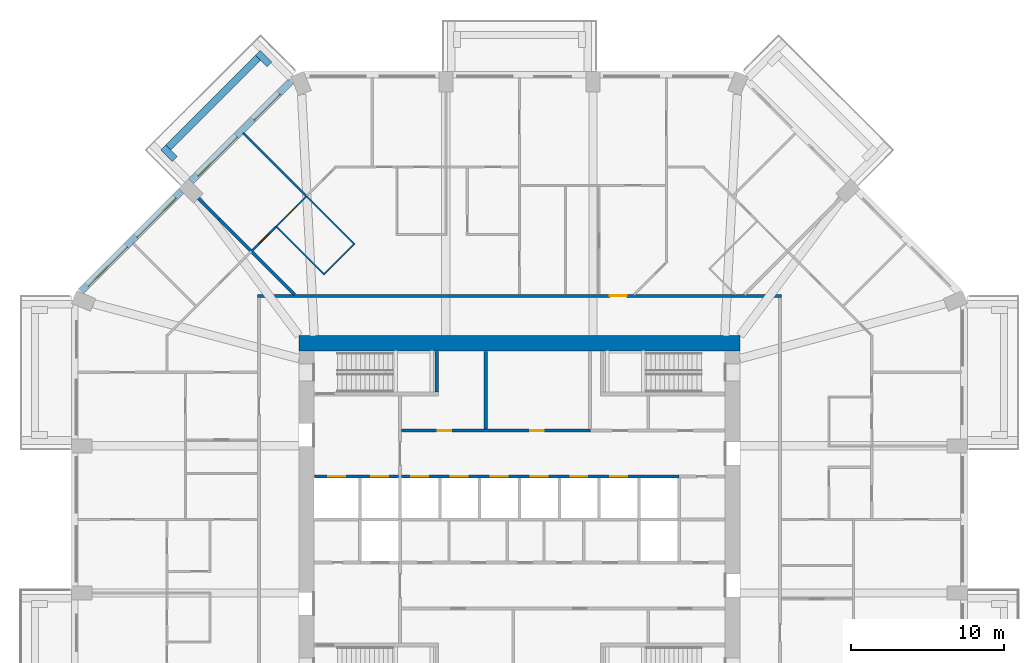
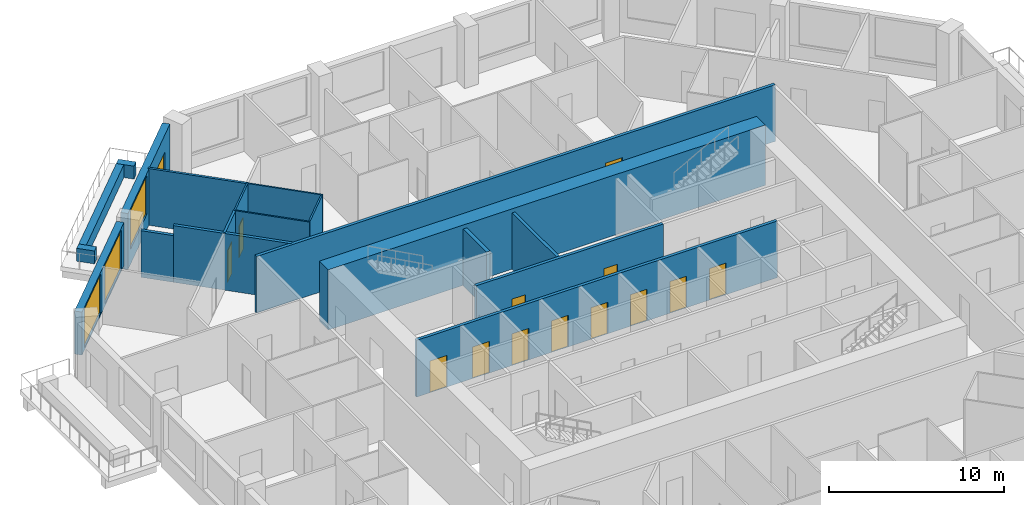
# One storey, part 8 of 13: 19 walls, 14 doors, 3 windows, 17 openings.
"""IFC4 building model written with IfcOpenShell, lengths in metres."""

from ifc_helpers import new_model, si_unit, direction, frame, frame_2d, origin, place, context, subcontext, project, spatial, rectangle, extrude, material, layer, layer_set, type_object, element, fill, save


model = new_model("IFC4")

# Units and contexts
model_context = context("Model", 3, precision=1e-05, world=origin(), true_north=direction((0.0, 1.0)))
body_context = subcontext(model_context, "Body", "Model", "MODEL_VIEW")
ifc_project = project(units=[si_unit("LENGTHUNIT", "METRE"), si_unit("AREAUNIT", "SQUARE_METRE"), si_unit("VOLUMEUNIT", "CUBIC_METRE"), si_unit("PLANEANGLEUNIT", "RADIAN"), si_unit("MASSUNIT", "GRAM", prefix="KILO")], contexts=[model_context])

# Site, building, storey
site_placement = place(None, origin())
site = spatial("IfcSite", under=ifc_project, at=site_placement, CompositionType="ELEMENT")
building_placement = place(site_placement, origin())
building = spatial("IfcBuilding", under=site, at=building_placement, Name="Msitu Wima Residences", CompositionType="ELEMENT")
storey_placement = place(building_placement, frame((0.0, 0.0, 29.699951171875)))
storey = spatial("IfcBuildingStorey", under=building, at=storey_placement, Name="L06", CompositionType="ELEMENT", Elevation=29.699951171875)

# Walls
ifc_material_1 = material(Name="Facing brick")
ifc_layer_1 = layer(ifc_material_1, 0.06494140625, Name="Facing brick")
ifc_material_2 = material(Name="Concrete C40/50", Category="concrete")
ifc_layer_2 = layer(ifc_material_2, 0.156005859375, Name="Concrete C40/50")
ifc_material_3 = material(Name="Waterproofing membrane")
ifc_layer_3 = layer(ifc_material_3, 0.00390625, Name="Waterproofing membrane")
ifc_material_4 = material(Name="Planting soil and planting")
ifc_layer_4 = layer(ifc_material_4, 0.22509765625, Name="Planting soil and planting")
ifc_layer_set_1 = layer_set([ifc_layer_1, ifc_layer_2, ifc_layer_3, ifc_layer_4], Name="Concrete C40/50")
wall_type_1 = type_object("IfcWallType", Name="Balcony planter PLANTER PL450", PredefinedType="USERDEFINED", material=ifc_layer_set_1)
wall_1_placement = place(storey_placement, frame((-17.0693359375, 30.125732421875, 0.0), z_axis=(0.0, 0.0, 1.0), x_axis=(-0.707106781187, -0.707106781187, 0.0)))
element("IfcWall", 1, at=wall_1_placement, inside=storey, type_object=wall_type_1, Name="Balcony planter NW0 L06", ObjectType="PLANTER", PredefinedType="USERDEFINED", context=body_context, shape_type="SweptSolid", body=[
    extrude(rectangle(XDim=8.2822265625, YDim=0.449951171875, at=frame_2d((4.14111328125, 0.0))), origin(), (0.0, 0.0, 1.0), 0.900146484375),
])
for number, where, z_axis, x_axis, name in (
    (2, (-16.326904296875, 29.70166015625, 0.0), (0.0, 0.0, 1.0), (-0.707106781187, 0.707106781187, 0.0), "Balcony planter NW0 L06"),
    (3, (-22.50146484375, 23.52685546875, 0.0), (0.0, 0.0, 1.0), (-0.707223014731, 0.706990528533, 0.0), "Balcony planter NW0 L06"),
):
    element("IfcWall", number, at=place(storey_placement, frame(where, z_axis=z_axis, x_axis=x_axis)), inside=storey, type_object=wall_type_1, Name=name, ObjectType="PLANTER", PredefinedType="USERDEFINED", context=body_context, shape_type="SweptSolid", body=[
        extrude(rectangle(XDim=1.050048828125, YDim=0.449951171875, at=frame_2d((0.52490234375, 0.0))), origin(), (0.0, 0.0, 1.0), 0.900146484375),
    ])

# Wall, openings, door, window
ifc_material_5 = material(Name="Brick (red buff mix)", Category="masonry")
ifc_layer_5 = layer(ifc_material_5, 0.449951171875)
ifc_layer_set_2 = layer_set([ifc_layer_5], Name="Brick (red buff mix)")
wall_type_2 = type_object("IfcWallType", Name="Brick infill wall BW450", PredefinedType="SOLIDWALL", material=ifc_layer_set_2)
wall_2_placement = place(storey_placement, frame((-14.903564453125, 28.61474609375, 0.0), z_axis=(0.0, 0.0, 1.0), x_axis=(-0.707106781187, -0.707106781187, 0.0)))
wall_2 = element("IfcWall", 4, at=wall_2_placement, inside=storey, type_object=wall_type_2, Name="Brick infill wall L06 NW0", PredefinedType="SOLIDWALL", context=body_context, shape_type="SweptSolid", body=[
    extrude(rectangle(XDim=9.2451171875, YDim=0.449951171875, at=frame_2d((4.62255859375, 0.0))), origin(), (0.0, 0.0, 1.0), 3.900146484375),
])
opening_1_placement = place(wall_2_placement, frame((1.111328125, 0.0, 0.0)))
opening_1 = element("IfcOpeningElement", 5, at=opening_1_placement, cuts=wall_2, Name="Opening D05-07.005", PredefinedType="OPENING", context=body_context, shape_type="SweptSolid", body=[
    extrude(rectangle(XDim=2.39990234375, YDim=2.699951171875, at=frame_2d((1.199951171875, 1.35009765625))), frame((0.0, 0.23486328125, 0.0), z_axis=(0.0, -1.0, 0.0), x_axis=(1.0, 0.0, 0.0)), (0.0, 0.0, 1.0), 0.469970703125),
])
opening_2_placement = place(wall_2_placement, frame((5.072509765625, 0.0, 1.050048828125)))
opening_2 = element("IfcOpeningElement", 6, at=opening_2_placement, cuts=wall_2, Name="Opening W05-07.013", PredefinedType="OPENING", context=body_context, shape_type="SweptSolid", body=[
    extrude(rectangle(XDim=3.60009765625, YDim=2.699951171875, at=frame_2d((1.800048828125, 1.35009765625))), frame((0.0, 0.23486328125, 0.0), z_axis=(0.0, -1.0, 0.0), x_axis=(1.0, 0.0, 0.0)), (0.0, 0.0, 1.0), 0.469970703125),
])
ifc_material_6 = material(Name="Anodised aluminium, bronze finish, clear low-emissivity double glazing", Category="aluminium")
door_type_1 = type_object("IfcDoorType", Name="Balcony door D2400x2700", OperationType="SLIDING_TO_LEFT", PredefinedType="DOOR", material=ifc_material_6)
door_1_placement = place(opening_1_placement, origin())
door_1 = element("IfcDoor", 7, at=door_1_placement, inside=storey, type_object=door_type_1, Name="Balcony door L06 NW0", OperationType="SINGLE_SWING_LEFT", OverallHeight=2.699951171875, OverallWidth=2.39990234375, PredefinedType="DOOR", context=body_context, shape_type="SweptSolid", body=[
    extrude(rectangle(XDim=2.39990234375, YDim=2.699951171875, at=frame_2d((1.199951171875, 1.35009765625))), frame((0.0, 0.1298828125, 0.0), z_axis=(0.0, -1.0, 0.0), x_axis=(1.0, 0.0, 0.0)), (0.0, 0.0, 1.0), 0.050048828125),
])
fill(opening_1, door_1)
window_type = type_object("IfcWindowType", Name="Window W3600x2700", PartitioningType="DOUBLE_PANEL_VERTICAL", PredefinedType="WINDOW", material=ifc_material_6)
window_1_placement = place(opening_2_placement, origin())
window_1 = element("IfcWindow", 8, at=window_1_placement, inside=storey, type_object=window_type, Name="Window L06 NW0.2", OverallHeight=2.699951171875, OverallWidth=3.60009765625, PartitioningType="SINGLE_PANEL", PredefinedType="WINDOW", context=body_context, shape_type="SweptSolid", body=[
    extrude(rectangle(XDim=3.60009765625, YDim=2.699951171875, at=frame_2d((1.800048828125, 1.35009765625))), frame((0.0, 0.135009765625, 0.0), z_axis=(0.0, -1.0, 0.0), x_axis=(1.0, 0.0, 0.0)), (0.0, 0.0, 1.0), 0.06005859375),
])
fill(opening_2, window_1)

# Wall, openings, windows
wall_3_placement = place(storey_placement, frame((-22.077392578125, 21.44091796875, 0.900146484375), z_axis=(0.0, 0.0, 1.0), x_axis=(-0.707106781187, -0.707106781187, 0.0)))
wall_3 = element("IfcWall", 9, at=wall_3_placement, inside=storey, type_object=wall_type_2, Name="Brick infill wall L06 NW1", PredefinedType="SOLIDWALL", context=body_context, shape_type="SweptSolid", body=[
    extrude(rectangle(XDim=9.2451171875, YDim=0.449951171875, at=frame_2d((4.62255859375, 0.0))), origin(), (0.0, 0.0, 1.0), 3.0),
])
opening_3_placement = place(wall_3_placement, frame((0.572509765625, 0.0, 0.14990234375)))
opening_3 = element("IfcOpeningElement", 10, at=opening_3_placement, cuts=wall_3, Name="Opening W05-07.014", PredefinedType="OPENING", context=body_context, shape_type="SweptSolid", body=[
    extrude(rectangle(XDim=3.60009765625, YDim=2.699951171875, at=frame_2d((1.800048828125, 1.35009765625))), frame((0.0, 0.23486328125, 0.0), z_axis=(0.0, -1.0, 0.0), x_axis=(1.0, 0.0, 0.0)), (0.0, 0.0, 1.0), 0.469970703125),
])
opening_4_placement = place(wall_3_placement, frame((5.072509765625, 0.0, 0.14990234375)))
opening_4 = element("IfcOpeningElement", 11, at=opening_4_placement, cuts=wall_3, Name="Opening W05-07.015", PredefinedType="OPENING", context=body_context, shape_type="SweptSolid", body=[
    extrude(rectangle(XDim=3.60009765625, YDim=2.699951171875, at=frame_2d((1.800048828125, 1.35009765625))), frame((0.0, 0.23486328125, 0.0), z_axis=(0.0, -1.0, 0.0), x_axis=(1.0, 0.0, 0.0)), (0.0, 0.0, 1.0), 0.469970703125),
])
window_2_placement = place(opening_3_placement, origin())
window_2 = element("IfcWindow", 12, at=window_2_placement, inside=storey, type_object=window_type, Name="Window L06 NW1.1", OverallHeight=2.699951171875, OverallWidth=3.60009765625, PartitioningType="SINGLE_PANEL", PredefinedType="WINDOW", context=body_context, shape_type="SweptSolid", body=[
    extrude(rectangle(XDim=3.60009765625, YDim=2.699951171875, at=frame_2d((1.800048828125, 1.35009765625))), frame((0.0, 0.135009765625, 0.0), z_axis=(0.0, -1.0, 0.0), x_axis=(1.0, 0.0, 0.0)), (0.0, 0.0, 1.0), 0.06005859375),
])
fill(opening_3, window_2)
window_3_placement = place(opening_4_placement, origin())
window_3 = element("IfcWindow", 13, at=window_3_placement, inside=storey, type_object=window_type, Name="Window L06 NW1.2", OverallHeight=2.699951171875, OverallWidth=3.60009765625, PartitioningType="SINGLE_PANEL", PredefinedType="WINDOW", context=body_context, shape_type="SweptSolid", body=[
    extrude(rectangle(XDim=3.60009765625, YDim=2.699951171875, at=frame_2d((1.800048828125, 1.35009765625))), frame((0.0, 0.135009765625, 0.0), z_axis=(0.0, -1.0, 0.0), x_axis=(1.0, 0.0, 0.0)), (0.0, 0.0, 1.0), 0.06005859375),
])
fill(opening_4, window_3)

# Wall
ifc_material_7 = material(Name="Concrete C80/95", Category="concrete")
ifc_layer_6 = layer(ifc_material_7, 1.0)
ifc_layer_set_3 = layer_set([ifc_layer_6], Name="Concrete C80/95")
wall_type_3 = type_object("IfcWallType", Name="Core wall CW1000 C80/95", PredefinedType="SHEAR", material=ifc_layer_set_3)
wall_4_placement = place(storey_placement, frame((-14.39990234375, 11.5, 0.0), z_axis=(0.0, 0.0, 1.0), x_axis=(1.0, 0.0, 0.0)))
element("IfcWall", 14, at=wall_4_placement, inside=storey, type_object=wall_type_3, Name="Core wall", PredefinedType="SHEAR", context=body_context, shape_type="SweptSolid", body=[
    extrude(rectangle(XDim=28.7998046875, YDim=1.0, at=frame_2d((14.39990234375, 0.0))), origin(), (0.0, 0.0, 1.0), 4.199951171875),
])

# Wall, opening, door
ifc_material_8 = material(Name="Plaster")
ifc_layer_7 = layer(ifc_material_8, 0.011962890625, Name="Plaster")
ifc_material_9 = material(Name="Concrete blockwork", Category="masonry")
ifc_layer_8 = layer(ifc_material_9, 0.176025390625, Name="Concrete blockwork")
ifc_layer_9 = layer(ifc_material_8, 0.011962890625, Name="Plaster")
ifc_layer_set_4 = layer_set([ifc_layer_7, ifc_layer_8, ifc_layer_9], Name="Concrete blockwork")
wall_type_4 = type_object("IfcWallType", Name="Corridor wall FW200", PredefinedType="PARTITIONING", material=ifc_layer_set_4)
wall_5_placement = place(storey_placement, frame((-17.10009765625, 14.60009765625, 0.0), z_axis=(0.0, 0.0, 1.0), x_axis=(1.0, 0.0, 0.0)))
wall_5 = element("IfcWall", 15, at=wall_5_placement, inside=storey, type_object=wall_type_4, Name="Corridor wall", PredefinedType="PARTITIONING", context=body_context, shape_type="SweptSolid", body=[
    extrude(rectangle(XDim=34.2001953125, YDim=0.199951171875, at=frame_2d((17.10009765625, 0.0))), origin(), (0.0, 0.0, 1.0), 3.949951171875),
])
opening_5_placement = place(wall_5_placement, frame((23.0, 0.0, 0.0)))
opening_5 = element("IfcOpeningElement", 16, at=opening_5_placement, cuts=wall_5, Name="Opening D05-07.012", PredefinedType="OPENING", context=body_context, shape_type="SweptSolid", body=[
    extrude(rectangle(XDim=1.10009765625, YDim=2.39990234375, at=frame_2d((0.550048828125, 1.199951171875))), frame((0.0, 0.10986328125, 0.0), z_axis=(0.0, -1.0, 0.0), x_axis=(1.0, 0.0, 0.0)), (0.0, 0.0, 1.0), 0.219970703125),
])
ifc_material_10 = material(Name="Timber flush door, fire resisting, self-closing", Category="wood")
door_type_2 = type_object("IfcDoorType", Name="Flat entrance door D01 1100x2400", OperationType="SINGLE_SWING_LEFT", PredefinedType="DOOR", material=ifc_material_10)
door_2_placement = place(opening_5_placement, origin())
door_2 = element("IfcDoor", 17, at=door_2_placement, inside=storey, type_object=door_type_2, Name="Flat entrance door", OperationType="SINGLE_SWING_RIGHT", OverallHeight=2.39990234375, OverallWidth=1.10009765625, PredefinedType="DOOR", context=body_context, shape_type="SweptSolid", body=[
    extrude(rectangle(XDim=1.10009765625, YDim=2.39990234375, at=frame_2d((0.550048828125, 1.199951171875))), frame((0.0, 0.02490234375, 0.0), z_axis=(0.0, -1.0, 0.0), x_axis=(1.0, 0.0, 0.0)), (0.0, 0.0, 1.0), 0.050048828125),
])
fill(opening_5, door_2)

# Wall
ifc_layer_10 = layer(ifc_material_8, 0.011962890625, Name="Plaster")
ifc_layer_11 = layer(ifc_material_9, 0.1259765625, Name="Concrete blockwork")
ifc_layer_12 = layer(ifc_material_8, 0.011962890625, Name="Plaster")
ifc_layer_set_5 = layer_set([ifc_layer_10, ifc_layer_11, ifc_layer_12], Name="Concrete blockwork")
wall_type_5 = type_object("IfcWallType", Name="Partition PW150", PredefinedType="PARTITIONING", material=ifc_layer_set_5)
wall_6_placement = place(storey_placement, frame((-18.038818359375, 25.23876953125, 0.0), z_axis=(0.0, 0.0, 1.0), x_axis=(0.707127559195, -0.707086002568, 0.0)))
element("IfcWall", 18, at=wall_6_placement, inside=storey, type_object=wall_type_5, Name="Partition", PredefinedType="PARTITIONING", context=body_context, shape_type="SweptSolid", body=[
    extrude(rectangle(XDim=5.875, YDim=0.14990234375, at=frame_2d((2.9375, 0.0))), origin(), (0.0, 0.0, 1.0), 3.949951171875),
])

# Wall, opening, door
wall_7_placement = place(storey_placement, frame((-17.498779296875, 17.498779296875, 0.0), z_axis=(0.0, 0.0, 1.0), x_axis=(0.707106781187, 0.707106781187, 0.0)))
wall_7 = element("IfcWall", 19, at=wall_7_placement, inside=storey, type_object=wall_type_5, Name="Partition", PredefinedType="PARTITIONING", context=body_context, shape_type="SweptSolid", body=[
    extrude(rectangle(XDim=2.271240234375, YDim=0.14990234375, at=frame_2d((1.1357421875, 0.0))), origin(), (0.0, 0.0, 1.0), 3.949951171875),
])
opening_6_placement = place(wall_7_placement, frame((0.699951171875, 0.0, 0.0)))
opening_6 = element("IfcOpeningElement", 20, at=opening_6_placement, cuts=wall_7, Name="Opening D05-07.057", PredefinedType="OPENING", context=body_context, shape_type="SweptSolid", body=[
    extrude(rectangle(XDim=0.949951171875, YDim=2.199951171875, at=frame_2d((0.47509765625, 1.10009765625))), frame((0.0, 0.0849609375, 0.0), z_axis=(0.0, -1.0, 0.0), x_axis=(1.0, 0.0, 0.0)), (0.0, 0.0, 1.0), 0.169921875),
])
ifc_material_11 = material(Name="Timber flush door", Category="wood")
door_type_3 = type_object("IfcDoorType", Name="Room door D12 950x2200", OperationType="SINGLE_SWING_LEFT", PredefinedType="DOOR", material=ifc_material_11)
door_3_placement = place(opening_6_placement, origin())
door_3 = element("IfcDoor", 21, at=door_3_placement, inside=storey, type_object=door_type_3, Name="Room door", OperationType="SINGLE_SWING_LEFT", OverallHeight=2.199951171875, OverallWidth=0.949951171875, PredefinedType="DOOR", context=body_context, shape_type="SweptSolid", body=[
    extrude(rectangle(XDim=0.949951171875, YDim=2.199951171875, at=frame_2d((0.47509765625, 1.10009765625))), frame((0.0, 0.02490234375, 0.0), z_axis=(0.0, -1.0, 0.0), x_axis=(1.0, 0.0, 0.0)), (0.0, 0.0, 1.0), 0.050048828125),
])
fill(opening_6, door_3)

# Walls
ifc_layer_13 = layer(ifc_material_8, 0.011962890625, Name="Plaster")
ifc_material_12 = material(Name="Dense concrete blockwork", Category="masonry")
ifc_layer_14 = layer(ifc_material_12, 0.176025390625, Name="Dense concrete blockwork")
ifc_layer_15 = layer(ifc_material_8, 0.011962890625, Name="Plaster")
ifc_layer_set_6 = layer_set([ifc_layer_13, ifc_layer_14, ifc_layer_15], Name="Dense concrete blockwork")
wall_type_6 = type_object("IfcWallType", Name="Party wall PW200", PredefinedType="PARTITIONING", material=ifc_layer_set_6)
wall_8_placement = place(storey_placement, frame((-20.963623046875, 20.963623046875, 0.0), z_axis=(0.0, 0.0, 1.0), x_axis=(0.707106781187, -0.707106781187, 0.0)))
element("IfcWall", 22, at=wall_8_placement, inside=storey, type_object=wall_type_6, Name="Party wall", PredefinedType="PARTITIONING", context=body_context, shape_type="SweptSolid", body=[
    extrude(rectangle(XDim=1.92041015625, YDim=0.199951171875, at=frame_2d((0.960205078125, 0.0))), origin(), (0.0, 0.0, 1.0), 3.25),
])
wall_9_placement = place(storey_placement, frame((-19.605712890625, 19.605712890625, 0.0), z_axis=(0.0, 0.0, 1.0), x_axis=(0.707106781187, -0.707106781187, 0.0)))
element("IfcWall", 23, at=wall_9_placement, inside=storey, type_object=wall_type_6, Name="Party wall", PredefinedType="PARTITIONING", context=body_context, shape_type="SweptSolid", body=[
    extrude(rectangle(XDim=6.979248046875, YDim=0.199951171875, at=frame_2d((3.48974609375, 0.0))), origin(), (0.0, 0.0, 1.0), 3.949951171875),
])

# Wall, openings, doors
ifc_layer_16 = layer(ifc_material_8, 0.011962890625, Name="Plaster")
ifc_material_13 = material(Name="Reinforced concrete blockwork", Category="masonry")
ifc_layer_17 = layer(ifc_material_13, 0.176025390625, Name="Reinforced concrete blockwork")
ifc_layer_18 = layer(ifc_material_8, 0.011962890625, Name="Plaster")
ifc_layer_set_7 = layer_set([ifc_layer_16, ifc_layer_17, ifc_layer_18], Name="Reinforced concrete blockwork")
wall_type_7 = type_object("IfcWallType", Name="Plant and riser wall PL200", PredefinedType="PARTITIONING", material=ifc_layer_set_7)
wall_10_placement = place(storey_placement, frame((-7.699951171875, 5.800048828125, 0.0), z_axis=(0.0, 0.0, 1.0), x_axis=(1.0, 0.0, 0.0)))
wall_10 = element("IfcWall", 24, at=wall_10_placement, inside=storey, type_object=wall_type_7, Name="Plant and riser wall", PredefinedType="PARTITIONING", context=body_context, shape_type="SweptSolid", body=[
    extrude(rectangle(XDim=12.320068359375, YDim=0.199951171875, at=frame_2d((6.16015625, 0.0))), origin(), (0.0, 0.0, 1.0), 3.949951171875),
])
opening_7_placement = place(wall_10_placement, frame((2.35009765625, 0.0, 0.0)))
opening_7 = element("IfcOpeningElement", 25, at=opening_7_placement, cuts=wall_10, Name="Opening D05-07.020", PredefinedType="OPENING", context=body_context, shape_type="SweptSolid", body=[
    extrude(rectangle(XDim=0.89990234375, YDim=2.199951171875, at=frame_2d((0.449951171875, 1.10009765625))), frame((0.0, 0.10986328125, 0.0), z_axis=(0.0, -1.0, 0.0), x_axis=(1.0, 0.0, 0.0)), (0.0, 0.0, 1.0), 0.219970703125),
])
opening_8_placement = place(wall_10_placement, frame((8.39990234375, 0.0, 0.0)))
opening_8 = element("IfcOpeningElement", 26, at=opening_8_placement, cuts=wall_10, Name="Opening D05-07.021", PredefinedType="OPENING", context=body_context, shape_type="SweptSolid", body=[
    extrude(rectangle(XDim=0.89990234375, YDim=2.199951171875, at=frame_2d((0.449951171875, 1.10009765625))), frame((0.0, 0.10986328125, 0.0), z_axis=(0.0, -1.0, 0.0), x_axis=(1.0, 0.0, 0.0)), (0.0, 0.0, 1.0), 0.219970703125),
])
door_type_4 = type_object("IfcDoorType", Name="Service door D05 900x2200", OperationType="SINGLE_SWING_LEFT", PredefinedType="DOOR", material=ifc_material_11)
door_4_placement = place(opening_7_placement, origin())
door_4 = element("IfcDoor", 27, at=door_4_placement, inside=storey, type_object=door_type_4, Name="Service door", OperationType="SINGLE_SWING_RIGHT", OverallHeight=2.199951171875, OverallWidth=0.89990234375, PredefinedType="DOOR", context=body_context, shape_type="SweptSolid", body=[
    extrude(rectangle(XDim=0.89990234375, YDim=2.199951171875, at=frame_2d((0.449951171875, 1.10009765625))), frame((0.0, 0.02490234375, 0.0), z_axis=(0.0, -1.0, 0.0), x_axis=(1.0, 0.0, 0.0)), (0.0, 0.0, 1.0), 0.050048828125),
])
fill(opening_7, door_4)
door_5_placement = place(opening_8_placement, origin())
door_5 = element("IfcDoor", 28, at=door_5_placement, inside=storey, type_object=door_type_4, Name="Service door", OperationType="SINGLE_SWING_LEFT", OverallHeight=2.199951171875, OverallWidth=0.89990234375, PredefinedType="DOOR", context=body_context, shape_type="SweptSolid", body=[
    extrude(rectangle(XDim=0.89990234375, YDim=2.199951171875, at=frame_2d((0.449951171875, 1.10009765625))), frame((0.0, 0.02490234375, 0.0), z_axis=(0.0, -1.0, 0.0), x_axis=(1.0, 0.0, 0.0)), (0.0, 0.0, 1.0), 0.050048828125),
])
fill(opening_8, door_5)

# Wall
wall_11_placement = place(storey_placement, frame((-2.199951171875, 5.89990234375, 0.0), z_axis=(0.0, 0.0, 1.0), x_axis=(0.0, 1.0, 0.0)))
element("IfcWall", 29, at=wall_11_placement, inside=storey, type_object=wall_type_7, Name="Plant and riser wall", PredefinedType="PARTITIONING", context=body_context, shape_type="SweptSolid", body=[
    extrude(rectangle(XDim=5.070068359375, YDim=0.199951171875, at=frame_2d((2.53515625, 0.0))), origin(), (0.0, 0.0, 1.0), 3.949951171875),
])

# Wall, openings, doors
ifc_material_14 = material(Name="Fire-rated board")
ifc_layer_19 = layer(ifc_material_14, 0.02490234375, Name="Fire-rated board")
ifc_material_15 = material(Name="Light-gauge stud framing with mineral wool")
ifc_layer_20 = layer(ifc_material_15, 0.14990234375, Name="Light-gauge stud framing with mineral wool")
ifc_layer_21 = layer(ifc_material_14, 0.02490234375, Name="Fire-rated board")
ifc_layer_set_8 = layer_set([ifc_layer_19, ifc_layer_20, ifc_layer_21], Name="Light-gauge stud framing with mineral wool")
wall_type_8 = type_object("IfcWallType", Name="Shaft wall SH200", PredefinedType="PARTITIONING", material=ifc_layer_set_8)
wall_12_placement = place(storey_placement, frame((-13.3701171875, 2.800048828125, 0.0), z_axis=(0.0, 0.0, 1.0), x_axis=(1.0, 0.0, 0.0)))
wall_12 = element("IfcWall", 30, at=wall_12_placement, inside=storey, type_object=wall_type_8, Name="Shaft wall", PredefinedType="PARTITIONING", context=body_context, shape_type="SweptSolid", body=[
    extrude(rectangle(XDim=23.77001953125, YDim=0.199951171875, at=frame_2d((11.885009765625, 0.0))), origin(), (0.0, 0.0, 1.0), 3.949951171875),
])
opening_9_placement = place(wall_12_placement, frame((0.89990234375, 0.0, 0.0)))
opening_9 = element("IfcOpeningElement", 31, at=opening_9_placement, cuts=wall_12, Name="Opening LD", PredefinedType="OPENING", context=body_context, shape_type="SweptSolid", body=[
    extrude(rectangle(XDim=1.10009765625, YDim=2.199951171875, at=frame_2d((0.550048828125, 1.10009765625))), frame((0.0, 0.10986328125, 0.0), z_axis=(0.0, -1.0, 0.0), x_axis=(1.0, 0.0, 0.0)), (0.0, 0.0, 1.0), 0.219970703125),
])
opening_10_placement = place(wall_12_placement, frame((3.699951171875, 0.0, 0.0)))
opening_10 = element("IfcOpeningElement", 32, at=opening_10_placement, cuts=wall_12, Name="Opening LD", PredefinedType="OPENING", context=body_context, shape_type="SweptSolid", body=[
    extrude(rectangle(XDim=1.10009765625, YDim=2.199951171875, at=frame_2d((0.550048828125, 1.10009765625))), frame((0.0, 0.10986328125, 0.0), z_axis=(0.0, -1.0, 0.0), x_axis=(1.0, 0.0, 0.0)), (0.0, 0.0, 1.0), 0.219970703125),
])
opening_11_placement = place(wall_12_placement, frame((6.300048828125, 0.0, 0.0)))
opening_11 = element("IfcOpeningElement", 33, at=opening_11_placement, cuts=wall_12, Name="Opening LD", PredefinedType="OPENING", context=body_context, shape_type="SweptSolid", body=[
    extrude(rectangle(XDim=1.10009765625, YDim=2.199951171875, at=frame_2d((0.550048828125, 1.10009765625))), frame((0.0, 0.10986328125, 0.0), z_axis=(0.0, -1.0, 0.0), x_axis=(1.0, 0.0, 0.0)), (0.0, 0.0, 1.0), 0.219970703125),
])
opening_12_placement = place(wall_12_placement, frame((8.89990234375, 0.0, 0.0)))
opening_12 = element("IfcOpeningElement", 34, at=opening_12_placement, cuts=wall_12, Name="Opening LD", PredefinedType="OPENING", context=body_context, shape_type="SweptSolid", body=[
    extrude(rectangle(XDim=1.10009765625, YDim=2.199951171875, at=frame_2d((0.550048828125, 1.10009765625))), frame((0.0, 0.10986328125, 0.0), z_axis=(0.0, -1.0, 0.0), x_axis=(1.0, 0.0, 0.0)), (0.0, 0.0, 1.0), 0.219970703125),
])
opening_13_placement = place(wall_12_placement, frame((11.5, 0.0, 0.0)))
opening_13 = element("IfcOpeningElement", 35, at=opening_13_placement, cuts=wall_12, Name="Opening LD", PredefinedType="OPENING", context=body_context, shape_type="SweptSolid", body=[
    extrude(rectangle(XDim=1.10009765625, YDim=2.199951171875, at=frame_2d((0.550048828125, 1.10009765625))), frame((0.0, 0.10986328125, 0.0), z_axis=(0.0, -1.0, 0.0), x_axis=(1.0, 0.0, 0.0)), (0.0, 0.0, 1.0), 0.219970703125),
])
opening_14_placement = place(wall_12_placement, frame((14.10009765625, 0.0, 0.0)))
opening_14 = element("IfcOpeningElement", 36, at=opening_14_placement, cuts=wall_12, Name="Opening LD", PredefinedType="OPENING", context=body_context, shape_type="SweptSolid", body=[
    extrude(rectangle(XDim=1.10009765625, YDim=2.199951171875, at=frame_2d((0.550048828125, 1.10009765625))), frame((0.0, 0.10986328125, 0.0), z_axis=(0.0, -1.0, 0.0), x_axis=(1.0, 0.0, 0.0)), (0.0, 0.0, 1.0), 0.219970703125),
])
opening_15_placement = place(wall_12_placement, frame((16.699951171875, 0.0, 0.0)))
opening_15 = element("IfcOpeningElement", 37, at=opening_15_placement, cuts=wall_12, Name="Opening LD", PredefinedType="OPENING", context=body_context, shape_type="SweptSolid", body=[
    extrude(rectangle(XDim=1.10009765625, YDim=2.199951171875, at=frame_2d((0.550048828125, 1.10009765625))), frame((0.0, 0.10986328125, 0.0), z_axis=(0.0, -1.0, 0.0), x_axis=(1.0, 0.0, 0.0)), (0.0, 0.0, 1.0), 0.219970703125),
])
opening_16_placement = place(wall_12_placement, frame((19.300048828125, 0.0, 0.0)))
opening_16 = element("IfcOpeningElement", 38, at=opening_16_placement, cuts=wall_12, Name="Opening LD", PredefinedType="OPENING", context=body_context, shape_type="SweptSolid", body=[
    extrude(rectangle(XDim=1.10009765625, YDim=2.199951171875, at=frame_2d((0.550048828125, 1.10009765625))), frame((0.0, 0.10986328125, 0.0), z_axis=(0.0, -1.0, 0.0), x_axis=(1.0, 0.0, 0.0)), (0.0, 0.0, 1.0), 0.219970703125),
])
ifc_material_16 = material(Name="Stainless steel centre-opening landing door, rated", Category="steel")
door_type_5 = type_object("IfcDoorType", Name="Lift landing door LD 1100x2200", OperationType="DOUBLE_DOOR_SLIDING", PredefinedType="DOOR", material=ifc_material_16)
door_6_placement = place(opening_9_placement, origin())
door_6 = element("IfcDoor", 39, at=door_6_placement, inside=storey, type_object=door_type_5, Name="Lift landing door LD1", OperationType="DOUBLE_DOOR_SLIDING", OverallHeight=2.199951171875, OverallWidth=1.10009765625, PredefinedType="DOOR", context=body_context, shape_type="SweptSolid", body=[
    extrude(rectangle(XDim=1.10009765625, YDim=2.199951171875, at=frame_2d((0.550048828125, 1.10009765625))), frame((0.0, 0.02490234375, 0.0), z_axis=(0.0, -1.0, 0.0), x_axis=(1.0, 0.0, 0.0)), (0.0, 0.0, 1.0), 0.050048828125),
])
fill(opening_9, door_6)
door_7_placement = place(opening_10_placement, origin())
door_7 = element("IfcDoor", 40, at=door_7_placement, inside=storey, type_object=door_type_5, Name="Lift landing door LD2", OperationType="DOUBLE_DOOR_SLIDING", OverallHeight=2.199951171875, OverallWidth=1.10009765625, PredefinedType="DOOR", context=body_context, shape_type="SweptSolid", body=[
    extrude(rectangle(XDim=1.10009765625, YDim=2.199951171875, at=frame_2d((0.550048828125, 1.10009765625))), frame((0.0, 0.02490234375, 0.0), z_axis=(0.0, -1.0, 0.0), x_axis=(1.0, 0.0, 0.0)), (0.0, 0.0, 1.0), 0.050048828125),
])
fill(opening_10, door_7)
door_8_placement = place(opening_11_placement, origin())
door_8 = element("IfcDoor", 41, at=door_8_placement, inside=storey, type_object=door_type_5, Name="Lift landing door LD4", OperationType="DOUBLE_DOOR_SLIDING", OverallHeight=2.199951171875, OverallWidth=1.10009765625, PredefinedType="DOOR", context=body_context, shape_type="SweptSolid", body=[
    extrude(rectangle(XDim=1.10009765625, YDim=2.199951171875, at=frame_2d((0.550048828125, 1.10009765625))), frame((0.0, 0.02490234375, 0.0), z_axis=(0.0, -1.0, 0.0), x_axis=(1.0, 0.0, 0.0)), (0.0, 0.0, 1.0), 0.050048828125),
])
fill(opening_11, door_8)
door_9_placement = place(opening_12_placement, origin())
door_9 = element("IfcDoor", 42, at=door_9_placement, inside=storey, type_object=door_type_5, Name="Lift landing door LD6", OperationType="DOUBLE_DOOR_SLIDING", OverallHeight=2.199951171875, OverallWidth=1.10009765625, PredefinedType="DOOR", context=body_context, shape_type="SweptSolid", body=[
    extrude(rectangle(XDim=1.10009765625, YDim=2.199951171875, at=frame_2d((0.550048828125, 1.10009765625))), frame((0.0, 0.02490234375, 0.0), z_axis=(0.0, -1.0, 0.0), x_axis=(1.0, 0.0, 0.0)), (0.0, 0.0, 1.0), 0.050048828125),
])
fill(opening_12, door_9)
door_10_placement = place(opening_13_placement, origin())
door_10 = element("IfcDoor", 43, at=door_10_placement, inside=storey, type_object=door_type_5, Name="Lift landing door LD8", OperationType="DOUBLE_DOOR_SLIDING", OverallHeight=2.199951171875, OverallWidth=1.10009765625, PredefinedType="DOOR", context=body_context, shape_type="SweptSolid", body=[
    extrude(rectangle(XDim=1.10009765625, YDim=2.199951171875, at=frame_2d((0.550048828125, 1.10009765625))), frame((0.0, 0.02490234375, 0.0), z_axis=(0.0, -1.0, 0.0), x_axis=(1.0, 0.0, 0.0)), (0.0, 0.0, 1.0), 0.050048828125),
])
fill(opening_13, door_10)
door_11_placement = place(opening_14_placement, origin())
door_11 = element("IfcDoor", 44, at=door_11_placement, inside=storey, type_object=door_type_5, Name="Lift landing door LD10", OperationType="DOUBLE_DOOR_SLIDING", OverallHeight=2.199951171875, OverallWidth=1.10009765625, PredefinedType="DOOR", context=body_context, shape_type="SweptSolid", body=[
    extrude(rectangle(XDim=1.10009765625, YDim=2.199951171875, at=frame_2d((0.550048828125, 1.10009765625))), frame((0.0, 0.02490234375, 0.0), z_axis=(0.0, -1.0, 0.0), x_axis=(1.0, 0.0, 0.0)), (0.0, 0.0, 1.0), 0.050048828125),
])
fill(opening_14, door_11)
door_12_placement = place(opening_15_placement, origin())
door_12 = element("IfcDoor", 45, at=door_12_placement, inside=storey, type_object=door_type_5, Name="Lift landing door LD12", OperationType="DOUBLE_DOOR_SLIDING", OverallHeight=2.199951171875, OverallWidth=1.10009765625, PredefinedType="DOOR", context=body_context, shape_type="SweptSolid", body=[
    extrude(rectangle(XDim=1.10009765625, YDim=2.199951171875, at=frame_2d((0.550048828125, 1.10009765625))), frame((0.0, 0.02490234375, 0.0), z_axis=(0.0, -1.0, 0.0), x_axis=(1.0, 0.0, 0.0)), (0.0, 0.0, 1.0), 0.050048828125),
])
fill(opening_15, door_12)
door_13_placement = place(opening_16_placement, origin())
door_13 = element("IfcDoor", 46, at=door_13_placement, inside=storey, type_object=door_type_5, Name="Lift landing door LD14", OperationType="DOUBLE_DOOR_SLIDING", OverallHeight=2.199951171875, OverallWidth=1.10009765625, PredefinedType="DOOR", context=body_context, shape_type="SweptSolid", body=[
    extrude(rectangle(XDim=1.10009765625, YDim=2.199951171875, at=frame_2d((0.550048828125, 1.10009765625))), frame((0.0, 0.02490234375, 0.0), z_axis=(0.0, -1.0, 0.0), x_axis=(1.0, 0.0, 0.0)), (0.0, 0.0, 1.0), 0.050048828125),
])
fill(opening_16, door_13)

# Wall
ifc_material_17 = material(Name="Concrete C50/60", Category="concrete")
ifc_layer_22 = layer(ifc_material_17, 0.25)
ifc_layer_set_9 = layer_set([ifc_layer_22], Name="Concrete C50/60")
wall_type_9 = type_object("IfcWallType", Name="Stair enclosure wall SW250", PredefinedType="SHEAR", material=ifc_layer_set_9)
wall_13_placement = place(storey_placement, frame((-5.39990234375, 8.324951171875, 0.0), z_axis=(0.0, 0.0, 1.0), x_axis=(0.0, 1.0, 0.0)))
element("IfcWall", 47, at=wall_13_placement, inside=storey, type_object=wall_type_9, Name="Stair enclosure wall", PredefinedType="SHEAR", context=body_context, shape_type="SweptSolid", body=[
    extrude(rectangle(XDim=2.64501953125, YDim=0.25, at=frame_2d((1.322509765625, 0.0))), origin(), (0.0, 0.0, 1.0), 3.949951171875),
])

# Wall, opening, door
ifc_material_18 = material(Name="Ceramic tiles")
ifc_layer_23 = layer(ifc_material_18, 0.008056640625, Name="Ceramic tiles")
ifc_material_19 = material(Name="Moisture-resistant board")
ifc_layer_24 = layer(ifc_material_19, 0.012451171875, Name="Moisture-resistant board")
ifc_layer_25 = layer(ifc_material_15, 0.06689453125, Name="Light-gauge stud framing with mineral wool")
ifc_layer_26 = layer(ifc_material_19, 0.012451171875, Name="Moisture-resistant board")
ifc_layer_set_10 = layer_set([ifc_layer_23, ifc_layer_24, ifc_layer_25, ifc_layer_26], Name="Light-gauge stud framing with mineral wool")
wall_type_10 = type_object("IfcWallType", Name="Wet wall PW100", PredefinedType="PARTITIONING", material=ifc_layer_set_10)
wall_14_placement = place(storey_placement, frame((-15.892822265625, 19.104736328125, 0.0), z_axis=(0.0, 0.0, 1.0), x_axis=(0.707106781187, 0.707106781187, 0.0)))
wall_14 = element("IfcWall", 48, at=wall_14_placement, inside=storey, type_object=wall_type_10, Name="Wet wall", PredefinedType="PARTITIONING", context=body_context, shape_type="SweptSolid", body=[
    extrude(rectangle(XDim=2.840087890625, YDim=0.10009765625, at=frame_2d((1.419921875, 0.0))), origin(), (0.0, 0.0, 1.0), 3.949951171875),
])
opening_17_placement = place(wall_14_placement, frame((0.949951171875, 0.0, 0.0)))
opening_17 = element("IfcOpeningElement", 49, at=opening_17_placement, cuts=wall_14, Name="Opening D05-07.058", PredefinedType="OPENING", context=body_context, shape_type="SweptSolid", body=[
    extrude(rectangle(XDim=0.89990234375, YDim=2.199951171875, at=frame_2d((0.449951171875, 1.10009765625))), frame((0.0, 0.06005859375, 0.0), z_axis=(0.0, -1.0, 0.0), x_axis=(1.0, 0.0, 0.0)), (0.0, 0.0, 1.0), 0.1201171875),
])
ifc_material_20 = material(Name="Timber flush door, moisture resistant", Category="wood")
door_type_6 = type_object("IfcDoorType", Name="Bathroom door D03 900x2200", OperationType="SINGLE_SWING_LEFT", PredefinedType="DOOR", material=ifc_material_20)
door_14_placement = place(opening_17_placement, origin())
door_14 = element("IfcDoor", 50, at=door_14_placement, inside=storey, type_object=door_type_6, Name="Bathroom door", OperationType="SINGLE_SWING_RIGHT", OverallHeight=2.199951171875, OverallWidth=0.89990234375, PredefinedType="DOOR", context=body_context, shape_type="SweptSolid", body=[
    extrude(rectangle(XDim=0.89990234375, YDim=2.199951171875, at=frame_2d((0.449951171875, 1.10009765625))), frame((0.0, 0.02490234375, 0.0), z_axis=(0.0, -1.0, 0.0), x_axis=(1.0, 0.0, 0.0)), (0.0, 0.0, 1.0), 0.050048828125),
])
fill(opening_17, door_14)

# Walls
wall_15_placement = place(storey_placement, frame((-15.84326171875, 19.08349609375, 0.0), z_axis=(0.0, 0.0, 1.0), x_axis=(0.707106781187, -0.707106781187, 0.0)))
element("IfcWall", 51, at=wall_15_placement, inside=storey, type_object=wall_type_10, Name="Wet wall", PredefinedType="PARTITIONING", context=body_context, shape_type="SweptSolid", body=[
    extrude(rectangle(XDim=4.400146484375, YDim=0.10009765625, at=frame_2d((2.2001953125, 0.0))), origin(), (0.0, 0.0, 1.0), 3.949951171875),
])
wall_16_placement = place(storey_placement, frame((-13.884521484375, 21.084716796875, 0.0), z_axis=(0.0, 0.0, 1.0), x_axis=(0.707079224951, -0.707134336348, 0.0)))
element("IfcWall", 52, at=wall_16_placement, inside=storey, type_object=wall_type_10, Name="Wet wall", PredefinedType="PARTITIONING", context=body_context, shape_type="SweptSolid", body=[
    extrude(rectangle(XDim=4.429931640625, YDim=0.10009765625, at=frame_2d((2.21484375, 0.0))), origin(), (0.0, 0.0, 1.0), 3.949951171875),
])
wall_17_placement = place(storey_placement, frame((-12.73193359375, 16.04296875, 0.0), z_axis=(0.0, 0.0, 1.0), x_axis=(0.707106781187, 0.707106781187, 0.0)))
element("IfcWall", 53, at=wall_17_placement, inside=storey, type_object=wall_type_10, Name="Wet wall", PredefinedType="PARTITIONING", context=body_context, shape_type="SweptSolid", body=[
    extrude(rectangle(XDim=2.699951171875, YDim=0.10009765625, at=frame_2d((1.35009765625, 0.0))), origin(), (0.0, 0.0, 1.0), 3.949951171875),
])

save(model, "model.ifc")
